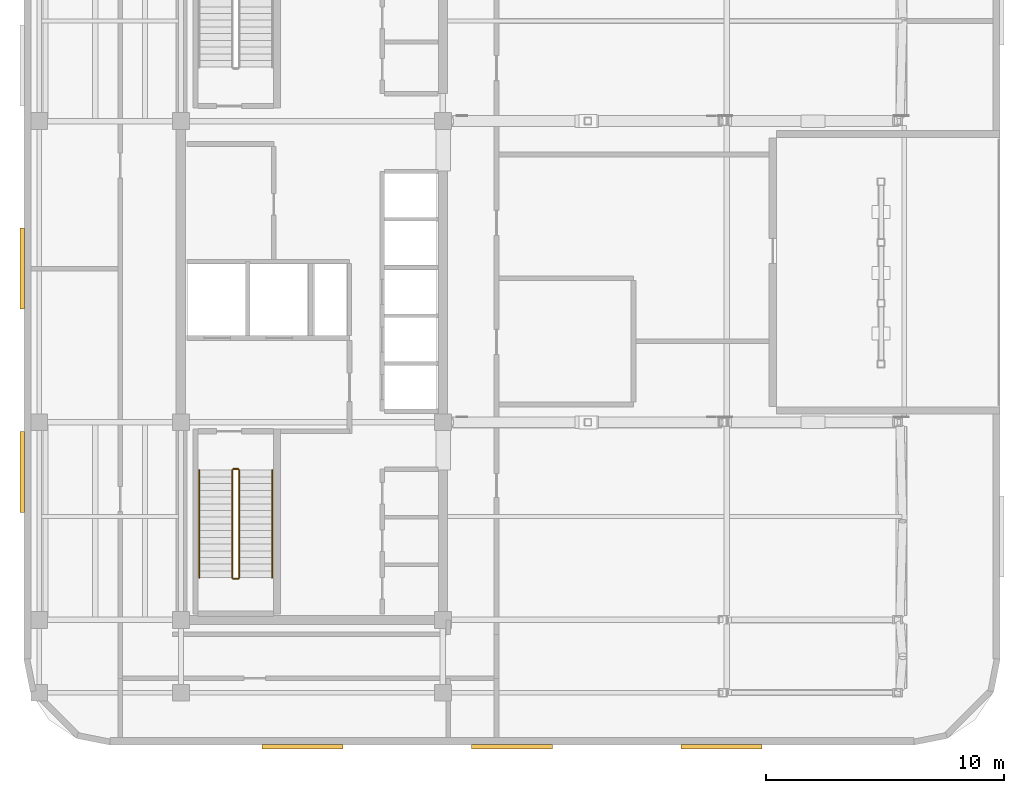
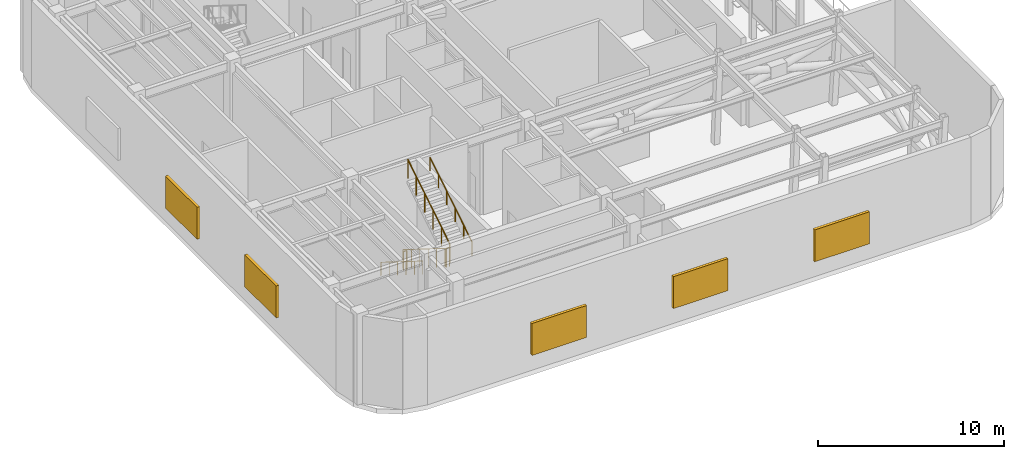
# One storey, part 9 of 12: 6 railings, 5 shading devices.
"""IFC4 building model written with IfcOpenShell, lengths in metres."""

from ifc_helpers import new_model, si_unit, direction, frame, origin, origin_2d, place, context, subcontext, project, spatial, rectangle, circle, extrude, material, layer, layer_set, type_object, element, save


model = new_model("IFC4")

# Units and contexts
model_context = context("Model", 3, precision=1e-05, world=origin(), true_north=direction((0.0, 1.0)))
body_context = subcontext(model_context, "Body", "Model", "MODEL_VIEW")
ifc_project = project(units=[si_unit("LENGTHUNIT", "METRE"), si_unit("AREAUNIT", "SQUARE_METRE"), si_unit("VOLUMEUNIT", "CUBIC_METRE"), si_unit("PLANEANGLEUNIT", "RADIAN"), si_unit("MASSUNIT", "GRAM", prefix="KILO")], contexts=[model_context])

# Site, building, storey
site_placement = place(None, origin())
site = spatial("IfcSite", under=ifc_project, at=site_placement, CompositionType="ELEMENT")
building_placement = place(site_placement, origin())
building = spatial("IfcBuilding", under=site, at=building_placement, Name="Ochreholt Gables", CompositionType="ELEMENT")
storey_placement = place(building_placement, frame((0.0, 0.0, 199.800048828125)))
storey = spatial("IfcBuildingStorey", under=building, at=storey_placement, Name="L52", CompositionType="ELEMENT", Elevation=199.800048828125)

# Railings
ifc_material_1 = material(Name="Painted Steel Stair Guardrail", Category="steel")
railing_type_1 = type_object("IfcRailingType", Name="RL-ST-GUARD", PredefinedType="GUARDRAIL", material=ifc_material_1)
railing_1_placement = place(storey_placement, frame((26.35009765625, 15.5400390625, 0.176513671875)))
element("IfcRailing", 1, at=railing_1_placement, inside=storey, type_object=railing_type_1, Name="L52 ST-1 stair guard 1", PredefinedType="GUARDRAIL", context=body_context, shape_type="SweptSolid", body=[
    extrude(circle(Radius=0.02392578125, at=origin_2d()), frame((0.0, 0.0, 1.22607421875), z_axis=(0.0, -0.847701827889, 0.530473006847), x_axis=(1.0, 0.0, 0.0)), (0.0, 0.0, 1.0), 5.322509765625),
    extrude(circle(Radius=0.02099609375, at=origin_2d()), origin(), (0.0, 0.0, 1.0), 1.201904296875),
    extrude(circle(Radius=0.02099609375, at=origin_2d()), frame((0.0, -0.90234375, 0.564697265625)), (0.0, 0.0, 1.0), 1.201904296875),
    extrude(circle(Radius=0.02099609375, at=origin_2d()), frame((0.0, -1.8046875, 1.12939453125)), (0.0, 0.0, 1.0), 1.201904296875),
    extrude(circle(Radius=0.02099609375, at=origin_2d()), frame((0.0, -2.707275390625, 1.694091796875)), (0.0, 0.0, 1.0), 1.201904296875),
    extrude(circle(Radius=0.02099609375, at=origin_2d()), frame((0.0, -3.609619140625, 2.2587890625)), (0.0, 0.0, 1.0), 1.201904296875),
    extrude(circle(Radius=0.02099609375, at=origin_2d()), frame((0.0, -4.511962890625, 2.823486328125)), (0.0, 0.0, 1.0), 1.201904296875),
])
railing_2_placement = place(storey_placement, frame((26.39990234375, 10.97802734375, 3.0)))
element("IfcRailing", 2, at=railing_2_placement, inside=storey, type_object=railing_type_1, Name="L52 ST-1 stair guard 2", PredefinedType="GUARDRAIL", context=body_context, shape_type="SweptSolid", body=[
    extrude(circle(Radius=0.02392578125, at=origin_2d()), frame((0.0, 0.0, 1.22607421875), z_axis=(1.0, 0.0, 0.0), x_axis=(0.0, 1.0, 0.0)), (0.0, 0.0, 1.0), 0.2001953125),
    extrude(circle(Radius=0.02099609375, at=origin_2d()), origin(), (0.0, 0.0, 1.0), 1.201904296875),
    extrude(circle(Radius=0.02099609375, at=origin_2d()), frame((0.2001953125, 0.0, 0.0)), (0.0, 0.0, 1.0), 1.201904296875),
])
railing_3_placement = place(storey_placement, frame((26.64990234375, 11.028076171875, 3.176513671875)))
element("IfcRailing", 3, at=railing_3_placement, inside=storey, type_object=railing_type_1, Name="L52 ST-1 stair guard 3", PredefinedType="GUARDRAIL", context=body_context, shape_type="SweptSolid", body=[
    extrude(circle(Radius=0.02392578125, at=origin_2d()), frame((0.0, 0.0, 1.22607421875), z_axis=(0.0, 0.847701827889, 0.530473006847), x_axis=(-1.0, 0.0, 0.0)), (0.0, 0.0, 1.0), 5.322509765625),
    extrude(circle(Radius=0.02099609375, at=origin_2d()), origin(), (0.0, 0.0, 1.0), 1.201904296875),
    extrude(circle(Radius=0.02099609375, at=origin_2d()), frame((0.0, 0.90234375, 0.564697265625)), (0.0, 0.0, 1.0), 1.201904296875),
    extrude(circle(Radius=0.02099609375, at=origin_2d()), frame((0.0, 1.8046875, 1.12939453125)), (0.0, 0.0, 1.0), 1.201904296875),
    extrude(circle(Radius=0.02099609375, at=origin_2d()), frame((0.0, 2.707275390625, 1.694091796875)), (0.0, 0.0, 1.0), 1.201904296875),
    extrude(circle(Radius=0.02099609375, at=origin_2d()), frame((0.0, 3.609619140625, 2.2587890625)), (0.0, 0.0, 1.0), 1.201904296875),
    extrude(circle(Radius=0.02099609375, at=origin_2d()), frame((0.0, 4.511962890625, 2.823486328125)), (0.0, 0.0, 1.0), 1.201904296875),
])
railing_4_placement = place(storey_placement, frame((26.39990234375, 15.590087890625, 0.0)))
element("IfcRailing", 4, at=railing_4_placement, inside=storey, type_object=railing_type_1, Name="L52 ST-1 stair guard 4", PredefinedType="GUARDRAIL", context=body_context, shape_type="SweptSolid", body=[
    extrude(circle(Radius=0.02392578125, at=origin_2d()), frame((0.0, 0.0, 1.22607421875), z_axis=(1.0, 0.0, 0.0), x_axis=(0.0, 1.0, 0.0)), (0.0, 0.0, 1.0), 0.2001953125),
    extrude(circle(Radius=0.02099609375, at=origin_2d()), origin(), (0.0, 0.0, 1.0), 1.201904296875),
    extrude(circle(Radius=0.02099609375, at=origin_2d()), frame((0.2001953125, 0.0, 0.0)), (0.0, 0.0, 1.0), 1.201904296875),
])
ifc_material_2 = material(Name="Brushed Stainless Steel Wall Handrail", Category="steel")
railing_type_2 = type_object("IfcRailingType", Name="RL-ST-HAND", PredefinedType="HANDRAIL", material=ifc_material_2)
railing_5_placement = place(storey_placement, frame((24.969970703125, 15.5400390625, 0.176513671875)))
element("IfcRailing", 5, at=railing_5_placement, inside=storey, type_object=railing_type_2, Name="L52 ST-1 stair handrail 1", PredefinedType="HANDRAIL", context=body_context, shape_type="SweptSolid", body=[
    extrude(circle(Radius=0.02392578125, at=origin_2d()), frame((0.0, 0.0, 0.8759765625), z_axis=(0.0, -0.847701827889, 0.530473006847), x_axis=(1.0, 0.0, 0.0)), (0.0, 0.0, 1.0), 5.322509765625),
    extrude(circle(Radius=0.02099609375, at=origin_2d()), origin(), (0.0, 0.0, 1.0), 0.851806640625),
    extrude(circle(Radius=0.02099609375, at=origin_2d()), frame((0.0, -0.90234375, 0.564697265625)), (0.0, 0.0, 1.0), 0.851806640625),
    extrude(circle(Radius=0.02099609375, at=origin_2d()), frame((0.0, -1.8046875, 1.12939453125)), (0.0, 0.0, 1.0), 0.851806640625),
    extrude(circle(Radius=0.02099609375, at=origin_2d()), frame((0.0, -2.707275390625, 1.694091796875)), (0.0, 0.0, 1.0), 0.851806640625),
    extrude(circle(Radius=0.02099609375, at=origin_2d()), frame((0.0, -3.609619140625, 2.2587890625)), (0.0, 0.0, 1.0), 0.851806640625),
    extrude(circle(Radius=0.02099609375, at=origin_2d()), frame((0.0, -4.511962890625, 2.823486328125)), (0.0, 0.0, 1.0), 0.851806640625),
])
railing_6_placement = place(storey_placement, frame((28.030029296875, 11.028076171875, 3.176513671875)))
element("IfcRailing", 6, at=railing_6_placement, inside=storey, type_object=railing_type_2, Name="L52 ST-1 stair handrail 2", PredefinedType="HANDRAIL", context=body_context, shape_type="SweptSolid", body=[
    extrude(circle(Radius=0.02392578125, at=origin_2d()), frame((0.0, 0.0, 0.8759765625), z_axis=(0.0, 0.847701827889, 0.530473006847), x_axis=(-1.0, 0.0, 0.0)), (0.0, 0.0, 1.0), 5.322509765625),
    extrude(circle(Radius=0.02099609375, at=origin_2d()), origin(), (0.0, 0.0, 1.0), 0.851806640625),
    extrude(circle(Radius=0.02099609375, at=origin_2d()), frame((0.0, 0.90234375, 0.564697265625)), (0.0, 0.0, 1.0), 0.851806640625),
    extrude(circle(Radius=0.02099609375, at=origin_2d()), frame((0.0, 1.8046875, 1.12939453125)), (0.0, 0.0, 1.0), 0.851806640625),
    extrude(circle(Radius=0.02099609375, at=origin_2d()), frame((0.0, 2.707275390625, 1.694091796875)), (0.0, 0.0, 1.0), 0.851806640625),
    extrude(circle(Radius=0.02099609375, at=origin_2d()), frame((0.0, 3.609619140625, 2.2587890625)), (0.0, 0.0, 1.0), 0.851806640625),
    extrude(circle(Radius=0.02099609375, at=origin_2d()), frame((0.0, 4.511962890625, 2.823486328125)), (0.0, 0.0, 1.0), 0.851806640625),
])

# Shading devices
ifc_material_3 = material(Name="Anodized Aluminium Acoustic Weather Louvre", Category="aluminium")
ifc_layer = layer(ifc_material_3, 0.179931640625, Name="Anodized Aluminium Acoustic Weather Louvre")
ifc_layer_set = layer_set([ifc_layer], Name="Anodized Aluminium Acoustic Weather Louvre")
shading_device_type = type_object("IfcShadingDeviceType", Name="SHD-LOUVRE", PredefinedType="JALOUSIE", material=ifc_layer_set)
for number, where, z_axis, x_axis, name in (
    (7, (29.31201171875, 3.929931640625, 1.099853515625), (0.0, 0.0, 1.0), (1.0, 0.0, 0.0), "L52 Acoustic Plant Louvre South-1"),
    (8, (38.10009765625, 3.929931640625, 1.099853515625), (0.0, 0.0, 1.0), (1.0, 0.0, 0.0), "L52 Acoustic Plant Louvre South-2"),
    (9, (46.887939453125, 3.929931640625, 1.099853515625), (0.0, 0.0, 1.0), (1.0, 0.0, 0.0), "L52 Acoustic Plant Louvre South-3"),
    (10, (17.530029296875, 24.0, 1.099853515625), (0.0, 0.0, 1.0), (0.0, -1.0, 0.0), "L52 Acoustic Plant Louvre West-2"),
    (11, (17.530029296875, 15.471923828125, 1.099853515625), (0.0, 0.0, 1.0), (0.0, -1.0, 0.0), "L52 Acoustic Plant Louvre West-3"),
):
    element("IfcShadingDevice", number, at=place(storey_placement, frame(where, z_axis=z_axis, x_axis=x_axis)), inside=storey, type_object=shading_device_type, Name=name, PredefinedType="JALOUSIE", context=body_context, shape_type="SweptSolid", body=[
        extrude(rectangle(XDim=3.39990234375, YDim=0.179931640625, at=origin_2d()), origin(), (0.0, 0.0, 1.0), 2.10009765625),
    ])

save(model, "model.ifc")
